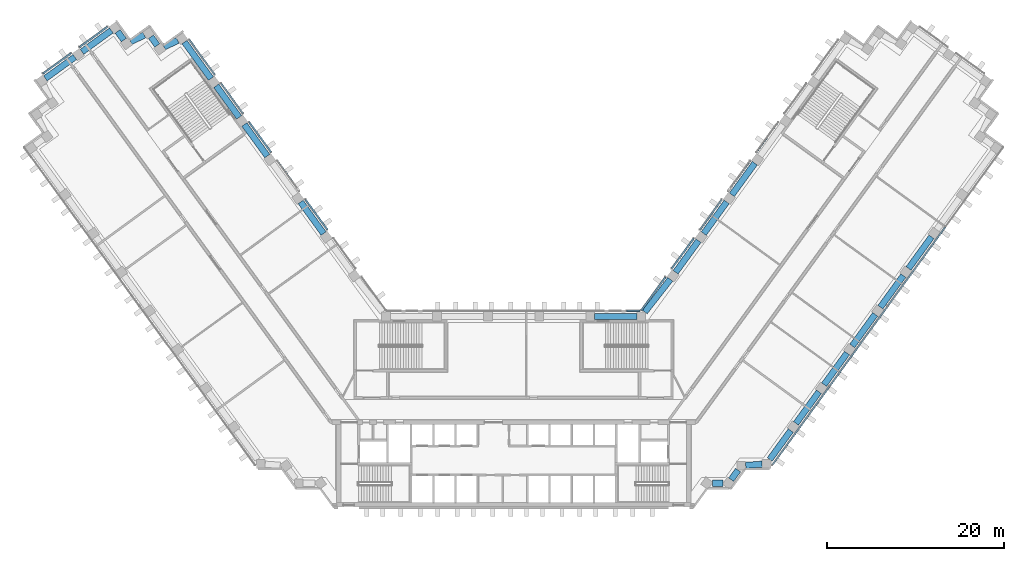
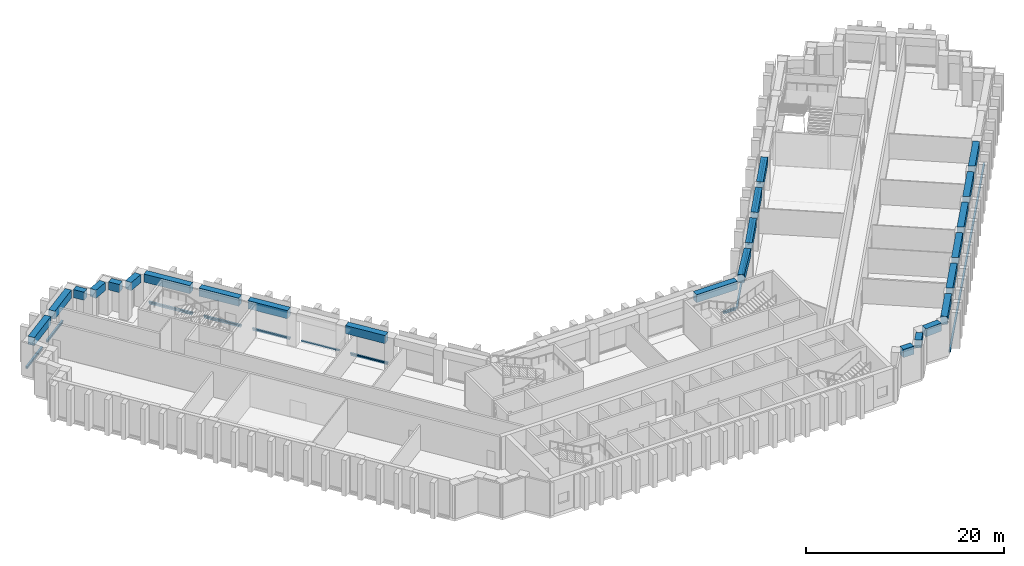
"""IFC4 building model written with IfcOpenShell, lengths in metres."""

from ifc_helpers import new_model, si_unit, direction, frame, origin, origin_2d, place, context, subcontext, project, spatial, rectangle, extrude, material, material_profile, profile_set, type_object, element, aggregate, save


model = new_model("IFC4")

# Units and contexts
model_context = context("Model", 3, precision=1e-05, world=origin(), true_north=direction((0.0, 1.0)))
body_context = subcontext(model_context, "Body", "Model", "MODEL_VIEW")
ifc_project = project(units=[si_unit("LENGTHUNIT", "METRE"), si_unit("AREAUNIT", "SQUARE_METRE"), si_unit("VOLUMEUNIT", "CUBIC_METRE"), si_unit("PLANEANGLEUNIT", "RADIAN"), si_unit("MASSUNIT", "GRAM", prefix="KILO")], contexts=[model_context])

# Site, building, storey
site_placement = place(None, origin())
site = spatial("IfcSite", under=ifc_project, at=site_placement, CompositionType="ELEMENT")
building_placement = place(site_placement, origin())
building = spatial("IfcBuilding", under=site, at=building_placement, Name="Quipu Civic Tower", CompositionType="ELEMENT")
storey_1_placement = place(building_placement, frame((0.0, 0.0, 11.5)))
storey_1 = spatial("IfcBuildingStorey", under=building, at=storey_1_placement, Name="L02", CompositionType="ELEMENT", Elevation=11.5)

# Beams
ifc_material_1 = material(Name="Concrete C50/60", Category="concrete")
ifc_material_profile_1 = material_profile(ifc_material_1, rectangle(XDim=0.699951171875, YDim=1.0, at=origin_2d()), Name="RC700x1000")
ifc_profile_set_1 = profile_set([ifc_material_profile_1], Name="Concrete C50/60")
beam_type = type_object("IfcBeamType", Name="Spandrel beam RC 700x1000 C50/60", PredefinedType="SPANDREL", material=ifc_profile_set_1)
for number, where, z_axis, x_axis, name in (
    (1, (-21.441162109375, 19.848388671875, 3.60009765625), (-0.587759228046, 0.809035901457, 0.0), (-0.809035901457, -0.587759228046, 0.0), "Spandrel beam L02 W-IN-02 to W-IN-03"),
    (2, (-27.7890625, 28.5859375, 3.60009765625), (-0.587759228046, 0.809035901457, 0.0), (-0.809035901457, -0.587759228046, 0.0), "Spandrel beam L02 W-IN-04 to W-IN-05"),
    (3, (-30.962890625, 32.954833984375, 3.60009765625), (-0.587759228046, 0.809035901457, 0.0), (-0.809035901457, -0.587759228046, 0.0), "Spandrel beam L02 W-IN-05 to W-IN-06"),
):
    element("IfcBeam", number, at=place(storey_1_placement, frame(where, z_axis=z_axis, x_axis=x_axis)), inside=storey_1, type_object=beam_type, Name=name, PredefinedType="SPANDREL", context=body_context, shape_type="SweptSolid", body=[
        extrude(rectangle(XDim=0.699951171875, YDim=1.0, at=origin_2d()), origin(), (0.0, 0.0, 1.0), 4.400146484375),
    ])
beam_1_placement = place(storey_1_placement, frame((-34.13671875, 37.32373046875, 3.60009765625), z_axis=(-0.587747065363, 0.809044737426, 0.0), x_axis=(-0.809044737426, -0.587747065363, 0.0)))
element("IfcBeam", 4, at=beam_1_placement, inside=storey_1, type_object=beam_type, Name="Spandrel beam L02 W-IN-06 to T-Wi.0-W50", PredefinedType="SPANDREL", context=body_context, shape_type="SweptSolid", body=[
    extrude(rectangle(XDim=0.699951171875, YDim=1.0, at=origin_2d()), origin(), (0.0, 0.0, 1.0), 5.0947265625),
])
beam_2_placement = place(storey_1_placement, frame((-37.8837890625, 41.630859375, 3.60009765625), z_axis=(-0.902482283387, -0.43072697637, 0.0), x_axis=(0.43072697637, -0.902482283387, 0.0)))
element("IfcBeam", 5, at=beam_2_placement, inside=storey_1, type_object=beam_type, Name="Spandrel beam L02 T-Wi.0-W50 to T-Wi.1-W50", PredefinedType="SPANDREL", context=body_context, shape_type="SweptSolid", body=[
    extrude(rectangle(XDim=0.699951171875, YDim=1.0, at=origin_2d()), origin(), (0.0, 0.0, 1.0), 1.731689453125),
])
beam_3_placement = place(storey_1_placement, frame((-40.19970703125, 41.0703125, 3.60009765625), z_axis=(-0.588316837584, 0.808630508091, 0.0), x_axis=(-0.808630508091, -0.588316837584, 0.0)))
element("IfcBeam", 6, at=beam_3_placement, inside=storey_1, type_object=beam_type, Name="Spandrel beam L02 T-Wi.1-W50 to T-Wi.2-W50", PredefinedType="SPANDREL", context=body_context, shape_type="SweptSolid", body=[
    extrude(rectangle(XDim=0.699951171875, YDim=1.0, at=origin_2d()), origin(), (0.0, 0.0, 1.0), 1.2001953125),
])
beam_4_placement = place(storey_1_placement, frame((-41.658935546875, 42.22607421875, 3.60009765625), z_axis=(-0.902651065962, -0.430373155666, 0.0), x_axis=(0.430373155666, -0.902651065962, 0.0)))
element("IfcBeam", 7, at=beam_4_placement, inside=storey_1, type_object=beam_type, Name="Spandrel beam L02 T-Wi.2-W50 to T-Wi.3-W50", PredefinedType="SPANDREL", context=body_context, shape_type="SweptSolid", body=[
    extrude(rectangle(XDim=0.699951171875, YDim=1.0, at=origin_2d()), origin(), (0.0, 0.0, 1.0), 1.724609375),
])
beam_5_placement = place(storey_1_placement, frame((-43.96875, 41.669189453125, 3.60009765625), z_axis=(-0.588461629015, 0.808525145667, 0.0), x_axis=(-0.808525145667, -0.588461629015, 0.0)))
element("IfcBeam", 8, at=beam_5_placement, inside=storey_1, type_object=beam_type, Name="Spandrel beam L02 T-Wi.3-W50 to T-Wi.4-W50", PredefinedType="SPANDREL", context=body_context, shape_type="SweptSolid", body=[
    extrude(rectangle(XDim=0.699951171875, YDim=1.0, at=origin_2d()), origin(), (0.0, 0.0, 1.0), 1.201416015625),
])
beam_6_placement = place(storey_1_placement, frame((-45.37451171875, 42.7509765625, 3.60009765625), z_axis=(-0.808983206573, -0.587831754401, 0.0), x_axis=(0.587831754401, -0.808983206573, 0.0)))
element("IfcBeam", 9, at=beam_6_placement, inside=storey_1, type_object=beam_type, Name="Spandrel beam L02 T-Wi.4-W50 to TIP-W-01-W50", PredefinedType="SPANDREL", context=body_context, shape_type="SweptSolid", body=[
    extrude(rectangle(XDim=0.699951171875, YDim=1.0, at=origin_2d()), origin(), (0.0, 0.0, 1.0), 4.10009765625),
])
beam_7_placement = place(storey_1_placement, frame((-49.500244140625, 39.7529296875, 3.60009765625), z_axis=(-0.808980758408, -0.587835123589, 0.0), x_axis=(0.587835123589, -0.808980758408, 0.0)))
element("IfcBeam", 10, at=beam_7_placement, inside=storey_1, type_object=beam_type, Name="Spandrel beam L02 TIP-W-01-W50 to T-Wo.0-W50", PredefinedType="SPANDREL", context=body_context, shape_type="SweptSolid", body=[
    extrude(rectangle(XDim=0.699951171875, YDim=1.0, at=origin_2d()), origin(), (0.0, 0.0, 1.0), 4.097900390625),
])
beam_8_placement = place(storey_1_placement, frame((22.409912109375, -8.31494140625, 3.60009765625), z_axis=(1.0, 0.0, 0.0), x_axis=(0.0, 1.0, 0.0)))
element("IfcBeam", 11, at=beam_8_placement, inside=storey_1, type_object=beam_type, Name="Spandrel beam L02 J-Eo.1 to J-Eo.2", PredefinedType="SPANDREL", context=body_context, shape_type="SweptSolid", body=[
    extrude(rectangle(XDim=0.699951171875, YDim=1.0, at=origin_2d()), origin(), (0.0, 0.0, 1.0), 1.20703125),
])
beam_9_placement = place(storey_1_placement, frame((24.529296875, -7.91064453125, 3.60009765625), z_axis=(0.588346597772, 0.808608855313, 0.0), x_axis=(-0.808608855313, 0.588346597772, 0.0)))
element("IfcBeam", 12, at=beam_9_placement, inside=storey_1, type_object=beam_type, Name="Spandrel beam L02 J-Eo.2 to J-Eo.3", PredefinedType="SPANDREL", context=body_context, shape_type="SweptSolid", body=[
    extrude(rectangle(XDim=0.699951171875, YDim=1.0, at=origin_2d()), origin(), (0.0, 0.0, 1.0), 1.327880859375),
])
beam_10_placement = place(storey_1_placement, frame((26.17431640625, -6.30078125, 3.60009765625), z_axis=(0.997368412419, 0.072499999372, 0.0), x_axis=(-0.072499999372, 0.997368412419, 0.0)))
element("IfcBeam", 13, at=beam_10_placement, inside=storey_1, type_object=beam_type, Name="Spandrel beam L02 J-Eo.3 to J-Eo.4", PredefinedType="SPANDREL", context=body_context, shape_type="SweptSolid", body=[
    extrude(rectangle(XDim=0.699951171875, YDim=1.0, at=origin_2d()), origin(), (0.0, 0.0, 1.0), 1.85546875),
])
beam_11_placement = place(storey_1_placement, frame((28.88818359375, -5.6298828125, 3.60009765625), z_axis=(0.587811022966, 0.808998270258, 0.0), x_axis=(-0.808998270258, 0.587811022966, 0.0)))
element("IfcBeam", 14, at=beam_11_placement, inside=storey_1, type_object=beam_type, Name="Spandrel beam L02 J-Eo.4 to E-OUT-01", PredefinedType="SPANDREL", context=body_context, shape_type="SweptSolid", body=[
    extrude(rectangle(XDim=0.699951171875, YDim=1.0, at=origin_2d()), origin(), (0.0, 0.0, 1.0), 4.025390625),
])
for number, where, z_axis, x_axis, name in (
    (15, (31.84228515625, -1.564208984375, 3.60009765625), (0.587759228046, 0.809035901457, 0.0), (-0.809035901457, 0.587759228046, 0.0), "Spandrel beam L02 E-OUT-01 to E-OUT-02"),
    (16, (35.01611328125, 2.804443359375, 3.60009765625), (0.587759228046, 0.809035901457, 0.0), (-0.809035901457, 0.587759228046, 0.0), "Spandrel beam L02 E-OUT-02 to E-OUT-03"),
    (17, (38.190185546875, 7.173095703125, 3.60009765625), (0.58779554378, 0.809009517072, 0.0), (-0.809009517072, 0.58779554378, 0.0), "Spandrel beam L02 E-OUT-03 to E-OUT-04"),
    (18, (41.3642578125, 11.5419921875, 3.60009765625), (0.587759228046, 0.809035901457, 0.0), (-0.809035901457, 0.587759228046, 0.0), "Spandrel beam L02 E-OUT-04 to E-OUT-05"),
):
    element("IfcBeam", number, at=place(storey_1_placement, frame(where, z_axis=z_axis, x_axis=x_axis)), inside=storey_1, type_object=beam_type, Name=name, PredefinedType="SPANDREL", context=body_context, shape_type="SweptSolid", body=[
        extrude(rectangle(XDim=0.699951171875, YDim=1.0, at=origin_2d()), origin(), (0.0, 0.0, 1.0), 4.400146484375),
    ])
beam_12_placement = place(storey_1_placement, frame((44.538330078125, 15.91064453125, 3.60009765625), z_axis=(0.587785613349, 0.809016732052, 0.0), x_axis=(-0.809016732052, 0.587785613349, 0.0)))
element("IfcBeam", 19, at=beam_12_placement, inside=storey_1, type_object=beam_type, Name="Spandrel beam L02 E-OUT-05 to E-OUT-06", PredefinedType="SPANDREL", context=body_context, shape_type="SweptSolid", body=[
    extrude(rectangle(XDim=0.699951171875, YDim=1.0, at=origin_2d()), origin(), (0.0, 0.0, 1.0), 4.39990234375),
])
for number, where, z_axis, x_axis, name in (
    (20, (27.201416015625, 27.777099609375, 3.60009765625), (-0.587732844487, -0.809055068281, 0.0), (0.809055068281, -0.587732844487, 0.0), "Spandrel beam L02 E-IN-04 to E-IN-03"),
    (21, (24.02734375, 23.408203125, 3.60009765625), (-0.587759228046, -0.809035901457, 0.0), (0.809035901457, -0.587759228046, 0.0), "Spandrel beam L02 E-IN-03 to E-IN-02"),
):
    element("IfcBeam", number, at=place(storey_1_placement, frame(where, z_axis=z_axis, x_axis=x_axis)), inside=storey_1, type_object=beam_type, Name=name, PredefinedType="SPANDREL", context=body_context, shape_type="SweptSolid", body=[
        extrude(rectangle(XDim=0.699951171875, YDim=1.0, at=origin_2d()), origin(), (0.0, 0.0, 1.0), 4.400146484375),
    ])
beam_13_placement = place(storey_1_placement, frame((20.853515625, 19.039306640625, 3.60009765625), z_axis=(-0.587722908759, -0.809062285934, 0.0), x_axis=(0.809062285934, -0.587722908759, 0.0)))
element("IfcBeam", 22, at=beam_13_placement, inside=storey_1, type_object=beam_type, Name="Spandrel beam L02 E-IN-02 to E-IN-01", PredefinedType="SPANDREL", context=body_context, shape_type="SweptSolid", body=[
    extrude(rectangle(XDim=0.699951171875, YDim=1.0, at=origin_2d()), origin(), (0.0, 0.0, 1.0), 4.39990234375),
])
beam_14_placement = place(storey_1_placement, frame((17.665283203125, 14.680908203125, 3.60009765625), z_axis=(-0.616068753057, -0.787692383806, 0.0), x_axis=(0.787692383806, -0.616068753057, 0.0)))
element("IfcBeam", 23, at=beam_14_placement, inside=storey_1, type_object=beam_type, Name="Spandrel beam L02 E-IN-01 to J-Ei.0", PredefinedType="SPANDREL", context=body_context, shape_type="SweptSolid", body=[
    extrude(rectangle(XDim=0.699951171875, YDim=1.0, at=origin_2d()), origin(), (0.0, 0.0, 1.0), 4.673095703125),
])
beam_15_placement = place(storey_1_placement, frame((13.895263671875, 10.5, 3.60009765625), z_axis=(-1.0, 0.0, 0.0), x_axis=(0.0, -1.0, 0.0)))
element("IfcBeam", 24, at=beam_15_placement, inside=storey_1, type_object=beam_type, Name="Spandrel beam L02 J-Ei.0 to FRONT-01", PredefinedType="SPANDREL", context=body_context, shape_type="SweptSolid", body=[
    extrude(rectangle(XDim=0.699951171875, YDim=1.0, at=origin_2d()), origin(), (0.0, 0.0, 1.0), 4.758056640625),
])

# Storey
storey_2_placement = place(building_placement, frame((0.0, 0.0, 16.0)))
storey_2 = spatial("IfcBuildingStorey", under=building, at=storey_2_placement, Name="L03", CompositionType="ELEMENT", Elevation=16.0)

# Curtain wall, member
ifc_material_2 = material(Name="Insulated glass unit", Category="glass")
curtain_wall_type_1 = type_object("IfcCurtainWallType", Name="Public services curtain wall CW3", PredefinedType="NOTDEFINED", material=ifc_material_2)
curtain_wall_1_placement = place(storey_2_placement, origin())
curtain_wall_1 = element("IfcCurtainWall", 25, at=curtain_wall_1_placement, inside=storey_2, type_object=curtain_wall_type_1, Name="Public services curtain wall CW3 L02 run 3", PredefinedType="NOTDEFINED")
ifc_material_3 = material(Name="Anodised aluminium", Category="aluminium")
ifc_material_profile_2 = material_profile(ifc_material_3, rectangle(XDim=0.199951171875, YDim=0.139892578125, at=origin_2d()), Name="RECT 200x140")
ifc_profile_set_2 = profile_set([ifc_material_profile_2], Name="Anodised aluminium")
member_type_1 = type_object("IfcMemberType", Name="Transom CW3", PredefinedType="USERDEFINED", material=ifc_profile_set_2)
member_1_placement = place(storey_1_placement, frame((-21.01513671875, 20.281494140625, 0.139892578125), z_axis=(-0.587746486169, 0.809045158194, 0.0), x_axis=(-0.809045158194, -0.587746486169, 0.0)))
member_1 = element("IfcMember", 26, at=member_1_placement, inside=storey_1, type_object=member_type_1, Name="CW3 transom 1.1", ObjectType="TRANSOM", PredefinedType="USERDEFINED", context=body_context, shape_type="SweptSolid", body=[
    extrude(rectangle(XDim=0.199951171875, YDim=0.139892578125, at=origin_2d()), origin(), (0.0, 0.0, 1.0), 4.199951171875),
])
aggregate(curtain_wall_1, [member_1])

curtain_wall_2_placement = place(storey_2_placement, origin())
curtain_wall_2 = element("IfcCurtainWall", 27, at=curtain_wall_2_placement, inside=storey_2, type_object=curtain_wall_type_1, Name="Public services curtain wall CW3 L02 run 4", PredefinedType="NOTDEFINED")
member_2_placement = place(storey_1_placement, frame((-24.18896484375, 24.650390625, 0.139892578125), z_axis=(-0.587812175236, 0.808997433027, 0.0), x_axis=(-0.808997433027, -0.587812175236, 0.0)))
member_2 = element("IfcMember", 28, at=member_2_placement, inside=storey_1, type_object=member_type_1, Name="CW3 transom 1.1", ObjectType="TRANSOM", PredefinedType="USERDEFINED", context=body_context, shape_type="SweptSolid", body=[
    extrude(rectangle(XDim=0.199951171875, YDim=0.139892578125, at=origin_2d()), origin(), (0.0, 0.0, 1.0), 4.199951171875),
])
aggregate(curtain_wall_2, [member_2])

curtain_wall_3_placement = place(storey_2_placement, origin())
curtain_wall_3 = element("IfcCurtainWall", 29, at=curtain_wall_3_placement, inside=storey_2, type_object=curtain_wall_type_1, Name="Public services curtain wall CW3 L02 run 5", PredefinedType="NOTDEFINED")
member_3_placement = place(storey_1_placement, frame((-27.36328125, 29.01904296875, 0.139892578125), z_axis=(-0.587746486169, 0.809045158194, 0.0), x_axis=(-0.809045158194, -0.587746486169, 0.0)))
member_3 = element("IfcMember", 30, at=member_3_placement, inside=storey_1, type_object=member_type_1, Name="CW3 transom 1.1", ObjectType="TRANSOM", PredefinedType="USERDEFINED", context=body_context, shape_type="SweptSolid", body=[
    extrude(rectangle(XDim=0.199951171875, YDim=0.139892578125, at=origin_2d()), origin(), (0.0, 0.0, 1.0), 4.199951171875),
])
aggregate(curtain_wall_3, [member_3])

curtain_wall_4_placement = place(storey_2_placement, origin())
curtain_wall_4 = element("IfcCurtainWall", 31, at=curtain_wall_4_placement, inside=storey_2, type_object=curtain_wall_type_1, Name="Public services curtain wall CW3 L02 run 6", PredefinedType="NOTDEFINED")
member_4_placement = place(storey_1_placement, frame((-30.537109375, 33.3876953125, 0.139892578125), z_axis=(-0.587784533062, 0.809017516926, 0.0), x_axis=(-0.809017516926, -0.587784533062, 0.0)))
member_4 = element("IfcMember", 32, at=member_4_placement, inside=storey_1, type_object=member_type_1, Name="CW3 transom 1.1", ObjectType="TRANSOM", PredefinedType="USERDEFINED", context=body_context, shape_type="SweptSolid", body=[
    extrude(rectangle(XDim=0.199951171875, YDim=0.139892578125, at=origin_2d()), origin(), (0.0, 0.0, 1.0), 4.2001953125),
])
aggregate(curtain_wall_4, [member_4])

curtain_wall_5_placement = place(storey_2_placement, origin())
curtain_wall_5 = element("IfcCurtainWall", 33, at=curtain_wall_5_placement, inside=storey_2, type_object=curtain_wall_type_1, Name="Public services curtain wall CW3 L02 run 7", PredefinedType="NOTDEFINED")
member_5_placement = place(storey_1_placement, frame((-33.711181640625, 37.756591796875, 0.139892578125), z_axis=(-0.587792001702, 0.809012090599, 0.0), x_axis=(-0.809012090599, -0.587792001702, 0.0)))
member_5 = element("IfcMember", 34, at=member_5_placement, inside=storey_1, type_object=member_type_1, Name="CW3 transom 1.1", ObjectType="TRANSOM", PredefinedType="USERDEFINED", context=body_context, shape_type="SweptSolid", body=[
    extrude(rectangle(XDim=0.199951171875, YDim=0.139892578125, at=origin_2d()), origin(), (0.0, 0.0, 1.0), 4.89453125),
])
aggregate(curtain_wall_5, [member_5])

curtain_wall_6_placement = place(storey_2_placement, origin())
curtain_wall_6 = element("IfcCurtainWall", 35, at=curtain_wall_6_placement, inside=storey_2, type_object=curtain_wall_type_1, Name="Public services curtain wall CW3 L02 run 12", PredefinedType="NOTDEFINED")
member_6_placement = place(storey_1_placement, frame((-45.807373046875, 43.1767578125, 0.139892578125), z_axis=(-0.809041868783, -0.587751014083, 0.0), x_axis=(0.587751014083, -0.809041868783, 0.0)))
member_6 = element("IfcMember", 36, at=member_6_placement, inside=storey_1, type_object=member_type_1, Name="CW3 transom 1.1", ObjectType="TRANSOM", PredefinedType="USERDEFINED", context=body_context, shape_type="SweptSolid", body=[
    extrude(rectangle(XDim=0.199951171875, YDim=0.139892578125, at=origin_2d()), origin(), (0.0, 0.0, 1.0), 3.89990234375),
])
aggregate(curtain_wall_6, [member_6])

curtain_wall_7_placement = place(storey_2_placement, origin())
curtain_wall_7 = element("IfcCurtainWall", 37, at=curtain_wall_7_placement, inside=storey_2, type_object=curtain_wall_type_1, Name="Public services curtain wall CW3 L02 run 13", PredefinedType="NOTDEFINED")
member_7_placement = place(storey_1_placement, frame((-49.93359375, 40.17919921875, 0.139892578125), z_axis=(-0.809009543625, -0.587795507233, 0.0), x_axis=(0.587795507233, -0.809009543625, 0.0)))
member_7 = element("IfcMember", 38, at=member_7_placement, inside=storey_1, type_object=member_type_1, Name="CW3 transom 1.1", ObjectType="TRANSOM", PredefinedType="USERDEFINED", context=body_context, shape_type="SweptSolid", body=[
    extrude(rectangle(XDim=0.199951171875, YDim=0.139892578125, at=origin_2d()), origin(), (0.0, 0.0, 1.0), 3.89794921875),
])
aggregate(curtain_wall_7, [member_7])

# Curtain wall, members
curtain_wall_8_placement = place(storey_2_placement, origin())
curtain_wall_8 = element("IfcCurtainWall", 39, at=curtain_wall_8_placement, inside=storey_2, type_object=curtain_wall_type_1, Name="Public services curtain wall CW3 L02 run 32", PredefinedType="NOTDEFINED")
member_8_placement = place(storey_1_placement, frame((29.164794921875, -6.2705078125, 0.139892578125), z_axis=(0.587772046886, 0.8090265885, 0.0), x_axis=(-0.8090265885, 0.587772046886, 0.0)))
member_8 = element("IfcMember", 40, at=member_8_placement, inside=storey_1, type_object=member_type_1, Name="CW3 transom 1.1", ObjectType="TRANSOM", PredefinedType="USERDEFINED", context=body_context, shape_type="SweptSolid", body=[
    extrude(rectangle(XDim=0.199951171875, YDim=0.139892578125, at=origin_2d()), origin(), (0.0, 0.0, 1.0), 10.971435546875),
])
member_9_placement = place(storey_1_placement, frame((35.67236328125, 2.6865234375, 0.139892578125), z_axis=(0.587777818391, 0.809022395368, 0.0), x_axis=(-0.809022395368, 0.587777818391, 0.0)))
member_9 = element("IfcMember", 41, at=member_9_placement, inside=storey_1, type_object=member_type_1, Name="CW3 transom 2.1", ObjectType="TRANSOM", PredefinedType="USERDEFINED", context=body_context, shape_type="SweptSolid", body=[
    extrude(rectangle(XDim=0.199951171875, YDim=0.139892578125, at=origin_2d()), origin(), (0.0, 0.0, 1.0), 11.021728515625),
])
member_10_placement = place(storey_1_placement, frame((42.20947265625, 11.68408203125, 0.139892578125), z_axis=(0.587788351912, 0.80901474236, 0.0), x_axis=(-0.80901474236, 0.587788351912, 0.0)))
member_10 = element("IfcMember", 42, at=member_10_placement, inside=storey_1, type_object=member_type_1, Name="CW3 transom 3.1", ObjectType="TRANSOM", PredefinedType="USERDEFINED", context=body_context, shape_type="SweptSolid", body=[
    extrude(rectangle(XDim=0.199951171875, YDim=0.139892578125, at=origin_2d()), origin(), (0.0, 0.0, 1.0), 11.021484375),
])
aggregate(curtain_wall_8, [member_8, member_9, member_10])

# Curtain wall, member
curtain_wall_9_placement = place(storey_2_placement, origin())
curtain_wall_9 = element("IfcCurtainWall", 43, at=curtain_wall_9_placement, inside=storey_2, type_object=curtain_wall_type_1, Name="Public services curtain wall CW3 L02 run 46", PredefinedType="NOTDEFINED")
member_11_placement = place(storey_1_placement, frame((26.65771484375, 28.048095703125, 0.139892578125), z_axis=(-0.587812175236, -0.808997433027, 0.0), x_axis=(0.808997433027, -0.587812175236, 0.0)))
member_11 = element("IfcMember", 44, at=member_11_placement, inside=storey_1, type_object=member_type_1, Name="CW3 transom 1.1", ObjectType="TRANSOM", PredefinedType="USERDEFINED", context=body_context, shape_type="SweptSolid", body=[
    extrude(rectangle(XDim=0.199951171875, YDim=0.139892578125, at=origin_2d()), origin(), (0.0, 0.0, 1.0), 4.199951171875),
])
aggregate(curtain_wall_9, [member_11])

curtain_wall_10_placement = place(storey_2_placement, origin())
curtain_wall_10 = element("IfcCurtainWall", 45, at=curtain_wall_10_placement, inside=storey_2, type_object=curtain_wall_type_1, Name="Public services curtain wall CW3 L02 run 47", PredefinedType="NOTDEFINED")
member_12_placement = place(storey_1_placement, frame((23.483642578125, 23.679443359375, 0.139892578125), z_axis=(-0.587746486169, -0.809045158194, 0.0), x_axis=(0.809045158194, -0.587746486169, 0.0)))
member_12 = element("IfcMember", 46, at=member_12_placement, inside=storey_1, type_object=member_type_1, Name="CW3 transom 1.1", ObjectType="TRANSOM", PredefinedType="USERDEFINED", context=body_context, shape_type="SweptSolid", body=[
    extrude(rectangle(XDim=0.199951171875, YDim=0.139892578125, at=origin_2d()), origin(), (0.0, 0.0, 1.0), 4.199951171875),
])
aggregate(curtain_wall_10, [member_12])

curtain_wall_11_placement = place(storey_2_placement, origin())
curtain_wall_11 = element("IfcCurtainWall", 47, at=curtain_wall_11_placement, inside=storey_2, type_object=curtain_wall_type_1, Name="Public services curtain wall CW3 L02 run 48", PredefinedType="NOTDEFINED")
member_13_placement = place(storey_1_placement, frame((20.309814453125, 19.310791015625, 0.139892578125), z_axis=(-0.587812175236, -0.808997433027, 0.0), x_axis=(0.808997433027, -0.587812175236, 0.0)))
member_13 = element("IfcMember", 48, at=member_13_placement, inside=storey_1, type_object=member_type_1, Name="CW3 transom 1.1", ObjectType="TRANSOM", PredefinedType="USERDEFINED", context=body_context, shape_type="SweptSolid", body=[
    extrude(rectangle(XDim=0.199951171875, YDim=0.139892578125, at=origin_2d()), origin(), (0.0, 0.0, 1.0), 4.199951171875),
])
aggregate(curtain_wall_11, [member_13])

curtain_wall_12_placement = place(storey_2_placement, origin())
curtain_wall_12 = element("IfcCurtainWall", 49, at=curtain_wall_12_placement, inside=storey_2, type_object=curtain_wall_type_1, Name="Public services curtain wall CW3 L02 run 49", PredefinedType="NOTDEFINED")
member_14_placement = place(storey_1_placement, frame((17.1357421875, 14.942138671875, 0.139892578125), z_axis=(-0.587781327652, -0.809019845779, 0.0), x_axis=(0.809019845779, -0.587781327652, 0.0)))
member_14 = element("IfcMember", 50, at=member_14_placement, inside=storey_1, type_object=member_type_1, Name="CW3 transom 1.1", ObjectType="TRANSOM", PredefinedType="USERDEFINED", context=body_context, shape_type="SweptSolid", body=[
    extrude(rectangle(XDim=0.199951171875, YDim=0.139892578125, at=origin_2d()), origin(), (0.0, 0.0, 1.0), 4.649169921875),
])
aggregate(curtain_wall_12, [member_14])

curtain_wall_13_placement = place(storey_2_placement, origin())
curtain_wall_13 = element("IfcCurtainWall", 51, at=curtain_wall_13_placement, inside=storey_2, type_object=curtain_wall_type_1, Name="Public services curtain wall CW3 L02 run 50", PredefinedType="NOTDEFINED")
member_15_placement = place(storey_1_placement, frame((14.244140625, 11.10009765625, 0.139892578125), z_axis=(-1.0, 0.0, 0.0), x_axis=(0.0, -1.0, 0.0)))
member_15 = element("IfcMember", 52, at=member_15_placement, inside=storey_1, type_object=member_type_1, Name="CW3 transom 1.1", ObjectType="TRANSOM", PredefinedType="USERDEFINED", context=body_context, shape_type="SweptSolid", body=[
    extrude(rectangle(XDim=0.199951171875, YDim=0.139892578125, at=origin_2d()), origin(), (0.0, 0.0, 1.0), 1.4892578125),
])
aggregate(curtain_wall_13, [member_15])

# Storey
storey_3_placement = place(building_placement, frame((0.0, 0.0, 6.0)))
storey_3 = spatial("IfcBuildingStorey", under=building, at=storey_3_placement, Name="L01", CompositionType="ELEMENT", Elevation=6.0)

# Curtain wall, member
ifc_material_4 = material(Name="Insulated glass unit", Category="glass")
curtain_wall_type_2 = type_object("IfcCurtainWallType", Name="Council chamber curtain wall CW4", PredefinedType="NOTDEFINED", material=ifc_material_4)
curtain_wall_14_placement = place(storey_3_placement, origin())
curtain_wall_14 = element("IfcCurtainWall", 53, at=curtain_wall_14_placement, inside=storey_3, type_object=curtain_wall_type_2, Name="Council chamber curtain wall CW4 L01 run 3", PredefinedType="NOTDEFINED")
ifc_material_5 = material(Name="Anodised aluminium", Category="aluminium")
ifc_material_profile_3 = material_profile(ifc_material_5, rectangle(XDim=0.199951171875, YDim=0.199951171875, at=origin_2d()), Name="RECT 200x200")
ifc_profile_set_3 = profile_set([ifc_material_profile_3], Name="Anodised aluminium")
member_type_2 = type_object("IfcMemberType", Name="Transom CW4", PredefinedType="USERDEFINED", material=ifc_profile_set_3)
member_16_placement = place(storey_1_placement, frame((-21.05029296875, 20.330078125, 0.0), z_axis=(-0.587790931986, 0.809012867805, 0.0), x_axis=(-0.809012867805, -0.587790931986, 0.0)))
member_16 = element("IfcMember", 54, at=member_16_placement, inside=storey_1, type_object=member_type_2, Name="CW4 transom 1.3", ObjectType="TRANSOM", PredefinedType="USERDEFINED", context=body_context, shape_type="SweptSolid", body=[
    extrude(rectangle(XDim=0.199951171875, YDim=0.199951171875, at=origin_2d()), origin(), (0.0, 0.0, 1.0), 4.080078125),
])
aggregate(curtain_wall_14, [member_16])

curtain_wall_15_placement = place(storey_3_placement, origin())
curtain_wall_15 = element("IfcCurtainWall", 55, at=curtain_wall_15_placement, inside=storey_3, type_object=curtain_wall_type_2, Name="Council chamber curtain wall CW4 L01 run 7", PredefinedType="NOTDEFINED")
member_17_placement = place(storey_1_placement, frame((-27.3984375, 29.067626953125, 0.0), z_axis=(-0.587790931986, 0.809012867805, 0.0), x_axis=(-0.809012867805, -0.587790931986, 0.0)))
member_17 = element("IfcMember", 56, at=member_17_placement, inside=storey_1, type_object=member_type_2, Name="CW4 transom 1.3", ObjectType="TRANSOM", PredefinedType="USERDEFINED", context=body_context, shape_type="SweptSolid", body=[
    extrude(rectangle(XDim=0.199951171875, YDim=0.199951171875, at=origin_2d()), origin(), (0.0, 0.0, 1.0), 4.080078125),
])
aggregate(curtain_wall_15, [member_17])

curtain_wall_16_placement = place(storey_3_placement, origin())
curtain_wall_16 = element("IfcCurtainWall", 57, at=curtain_wall_16_placement, inside=storey_3, type_object=curtain_wall_type_2, Name="Council chamber curtain wall CW4 L01 run 8", PredefinedType="NOTDEFINED")
member_18_placement = place(storey_1_placement, frame((-30.572509765625, 33.436279296875, 0.0), z_axis=(-0.587790931986, 0.809012867805, 0.0), x_axis=(-0.809012867805, -0.587790931986, 0.0)))
member_18 = element("IfcMember", 58, at=member_18_placement, inside=storey_1, type_object=member_type_2, Name="CW4 transom 1.3", ObjectType="TRANSOM", PredefinedType="USERDEFINED", context=body_context, shape_type="SweptSolid", body=[
    extrude(rectangle(XDim=0.199951171875, YDim=0.199951171875, at=origin_2d()), origin(), (0.0, 0.0, 1.0), 4.080078125),
])
aggregate(curtain_wall_16, [member_18])

curtain_wall_17_placement = place(storey_3_placement, origin())
curtain_wall_17 = element("IfcCurtainWall", 59, at=curtain_wall_17_placement, inside=storey_3, type_object=curtain_wall_type_2, Name="Council chamber curtain wall CW4 L01 run 9", PredefinedType="NOTDEFINED")
member_19_placement = place(storey_1_placement, frame((-33.74658203125, 37.804931640625, 0.0), z_axis=(-0.587773342072, 0.809025647522, 0.0), x_axis=(-0.809025647522, -0.587773342072, 0.0)))
member_19 = element("IfcMember", 60, at=member_19_placement, inside=storey_1, type_object=member_type_2, Name="CW4 transom 1.3", ObjectType="TRANSOM", PredefinedType="USERDEFINED", context=body_context, shape_type="SweptSolid", body=[
    extrude(rectangle(XDim=0.199951171875, YDim=0.199951171875, at=origin_2d()), origin(), (0.0, 0.0, 1.0), 4.774658203125),
])
aggregate(curtain_wall_17, [member_19])

curtain_wall_18_placement = place(storey_3_placement, origin())
curtain_wall_18 = element("IfcCurtainWall", 61, at=curtain_wall_18_placement, inside=storey_3, type_object=curtain_wall_type_2, Name="Council chamber curtain wall CW4 L01 run 14", PredefinedType="NOTDEFINED")
member_20_placement = place(storey_1_placement, frame((-45.85595703125, 43.1416015625, 0.0), z_axis=(-0.809006911497, -0.587799129933, 0.0), x_axis=(0.587799129933, -0.809006911497, 0.0)))
member_20 = element("IfcMember", 62, at=member_20_placement, inside=storey_1, type_object=member_type_2, Name="CW4 transom 1.3", ObjectType="TRANSOM", PredefinedType="USERDEFINED", context=body_context, shape_type="SweptSolid", body=[
    extrude(rectangle(XDim=0.199951171875, YDim=0.199951171875, at=origin_2d()), origin(), (0.0, 0.0, 1.0), 3.780029296875),
])
aggregate(curtain_wall_18, [member_20])

curtain_wall_19_placement = place(storey_3_placement, origin())
curtain_wall_19 = element("IfcCurtainWall", 63, at=curtain_wall_19_placement, inside=storey_3, type_object=curtain_wall_type_2, Name="Council chamber curtain wall CW4 L01 run 15", PredefinedType="NOTDEFINED")
member_21_placement = place(storey_1_placement, frame((-49.98193359375, 40.143798828125, 0.0), z_axis=(-0.809026595261, -0.587772037579, 0.0), x_axis=(0.587772037579, -0.809026595261, 0.0)))
member_21 = element("IfcMember", 64, at=member_21_placement, inside=storey_1, type_object=member_type_2, Name="CW4 transom 1.3", ObjectType="TRANSOM", PredefinedType="USERDEFINED", context=body_context, shape_type="SweptSolid", body=[
    extrude(rectangle(XDim=0.199951171875, YDim=0.199951171875, at=origin_2d()), origin(), (0.0, 0.0, 1.0), 3.778076171875),
])
aggregate(curtain_wall_19, [member_21])

# Curtain wall, members
curtain_wall_20_placement = place(storey_3_placement, origin())
curtain_wall_20 = element("IfcCurtainWall", 65, at=curtain_wall_20_placement, inside=storey_3, type_object=curtain_wall_type_2, Name="Council chamber curtain wall CW4 L01 run 34", PredefinedType="NOTDEFINED")
member_22_placement = place(storey_1_placement, frame((29.199951171875, -6.221923828125, 0.0), z_axis=(0.587779422244, 0.809021230121, 0.0), x_axis=(-0.809021230121, 0.587779422244, 0.0)))
member_22 = element("IfcMember", 66, at=member_22_placement, inside=storey_1, type_object=member_type_2, Name="CW4 transom 1.3", ObjectType="TRANSOM", PredefinedType="USERDEFINED", context=body_context, shape_type="SweptSolid", body=[
    extrude(rectangle(XDim=0.199951171875, YDim=0.199951171875, at=origin_2d()), origin(), (0.0, 0.0, 1.0), 10.881591796875),
])
member_23_placement = place(storey_1_placement, frame((35.68994140625, 2.7109375, 0.0), z_axis=(0.587796852452, 0.809008566239, 0.0), x_axis=(-0.809008566239, 0.587796852452, 0.0)))
member_23 = element("IfcMember", 67, at=member_23_placement, inside=storey_1, type_object=member_type_2, Name="CW4 transom 2.3", ObjectType="TRANSOM", PredefinedType="USERDEFINED", context=body_context, shape_type="SweptSolid", body=[
    extrude(rectangle(XDim=0.199951171875, YDim=0.199951171875, at=origin_2d()), origin(), (0.0, 0.0, 1.0), 10.96142578125),
])
member_24_placement = place(storey_1_placement, frame((42.22705078125, 11.708251953125, 0.0), z_axis=(0.587771683611, 0.809026852425, 0.0), x_axis=(-0.809026852425, 0.587771683611, 0.0)))
member_24 = element("IfcMember", 68, at=member_24_placement, inside=storey_1, type_object=member_type_2, Name="CW4 transom 3.3", ObjectType="TRANSOM", PredefinedType="USERDEFINED", context=body_context, shape_type="SweptSolid", body=[
    extrude(rectangle(XDim=0.199951171875, YDim=0.199951171875, at=origin_2d()), origin(), (0.0, 0.0, 1.0), 10.96142578125),
])
aggregate(curtain_wall_20, [member_22, member_23, member_24])

# Curtain wall, member
curtain_wall_21_placement = place(storey_3_placement, origin())
curtain_wall_21 = element("IfcCurtainWall", 69, at=curtain_wall_21_placement, inside=storey_3, type_object=curtain_wall_type_2, Name="Council chamber curtain wall CW4 L01 run 47", PredefinedType="NOTDEFINED")
member_25_placement = place(storey_1_placement, frame((29.796630859375, 32.368408203125, 0.0), z_axis=(-0.587790931986, -0.809012867805, 0.0), x_axis=(0.809012867805, -0.587790931986, 0.0)))
member_25 = element("IfcMember", 70, at=member_25_placement, inside=storey_1, type_object=member_type_2, Name="CW4 transom 1.3", ObjectType="TRANSOM", PredefinedType="USERDEFINED", context=body_context, shape_type="SweptSolid", body=[
    extrude(rectangle(XDim=0.199951171875, YDim=0.199951171875, at=origin_2d()), origin(), (0.0, 0.0, 1.0), 4.080078125),
])
aggregate(curtain_wall_21, [member_25])

curtain_wall_22_placement = place(storey_3_placement, origin())
curtain_wall_22 = element("IfcCurtainWall", 71, at=curtain_wall_22_placement, inside=storey_3, type_object=curtain_wall_type_2, Name="Council chamber curtain wall CW4 L01 run 51", PredefinedType="NOTDEFINED")
member_26_placement = place(storey_1_placement, frame((23.448486328125, 23.630859375, 0.0), z_axis=(-0.587790931986, -0.809012867805, 0.0), x_axis=(0.809012867805, -0.587790931986, 0.0)))
member_26 = element("IfcMember", 72, at=member_26_placement, inside=storey_1, type_object=member_type_2, Name="CW4 transom 1.3", ObjectType="TRANSOM", PredefinedType="USERDEFINED", context=body_context, shape_type="SweptSolid", body=[
    extrude(rectangle(XDim=0.199951171875, YDim=0.199951171875, at=origin_2d()), origin(), (0.0, 0.0, 1.0), 4.080078125),
])
aggregate(curtain_wall_22, [member_26])

curtain_wall_23_placement = place(storey_3_placement, origin())
curtain_wall_23 = element("IfcCurtainWall", 73, at=curtain_wall_23_placement, inside=storey_3, type_object=curtain_wall_type_2, Name="Council chamber curtain wall CW4 L01 run 52", PredefinedType="NOTDEFINED")
member_27_placement = place(storey_1_placement, frame((20.2744140625, 19.26220703125, 0.0), z_axis=(-0.587790931986, -0.809012867805, 0.0), x_axis=(0.809012867805, -0.587790931986, 0.0)))
member_27 = element("IfcMember", 74, at=member_27_placement, inside=storey_1, type_object=member_type_2, Name="CW4 transom 1.3", ObjectType="TRANSOM", PredefinedType="USERDEFINED", context=body_context, shape_type="SweptSolid", body=[
    extrude(rectangle(XDim=0.199951171875, YDim=0.199951171875, at=origin_2d()), origin(), (0.0, 0.0, 1.0), 4.080078125),
])
aggregate(curtain_wall_23, [member_27])

curtain_wall_24_placement = place(storey_3_placement, origin())
curtain_wall_24 = element("IfcCurtainWall", 75, at=curtain_wall_24_placement, inside=storey_3, type_object=curtain_wall_type_2, Name="Council chamber curtain wall CW4 L01 run 53", PredefinedType="NOTDEFINED")
member_28_placement = place(storey_1_placement, frame((17.100341796875, 14.8935546875, 0.0), z_axis=(-0.587787007192, -0.809015719363, 0.0), x_axis=(0.809015719363, -0.587787007192, 0.0)))
member_28 = element("IfcMember", 76, at=member_28_placement, inside=storey_1, type_object=member_type_2, Name="CW4 transom 1.3", ObjectType="TRANSOM", PredefinedType="USERDEFINED", context=body_context, shape_type="SweptSolid", body=[
    extrude(rectangle(XDim=0.199951171875, YDim=0.199951171875, at=origin_2d()), origin(), (0.0, 0.0, 1.0), 4.529052734375),
])
aggregate(curtain_wall_24, [member_28])

curtain_wall_25_placement = place(storey_3_placement, origin())
curtain_wall_25 = element("IfcCurtainWall", 77, at=curtain_wall_25_placement, inside=storey_3, type_object=curtain_wall_type_2, Name="Council chamber curtain wall CW4 L01 run 54", PredefinedType="NOTDEFINED")
member_29_placement = place(storey_1_placement, frame((14.18408203125, 11.10009765625, 0.0), z_axis=(-1.0, 0.0, 0.0), x_axis=(0.0, -1.0, 0.0)))
member_29 = element("IfcMember", 78, at=member_29_placement, inside=storey_1, type_object=member_type_2, Name="CW4 transom 1.3", ObjectType="TRANSOM", PredefinedType="USERDEFINED", context=body_context, shape_type="SweptSolid", body=[
    extrude(rectangle(XDim=0.199951171875, YDim=0.199951171875, at=origin_2d()), origin(), (0.0, 0.0, 1.0), 1.369140625),
])
aggregate(curtain_wall_25, [member_29])

save(model, "model.ifc")
